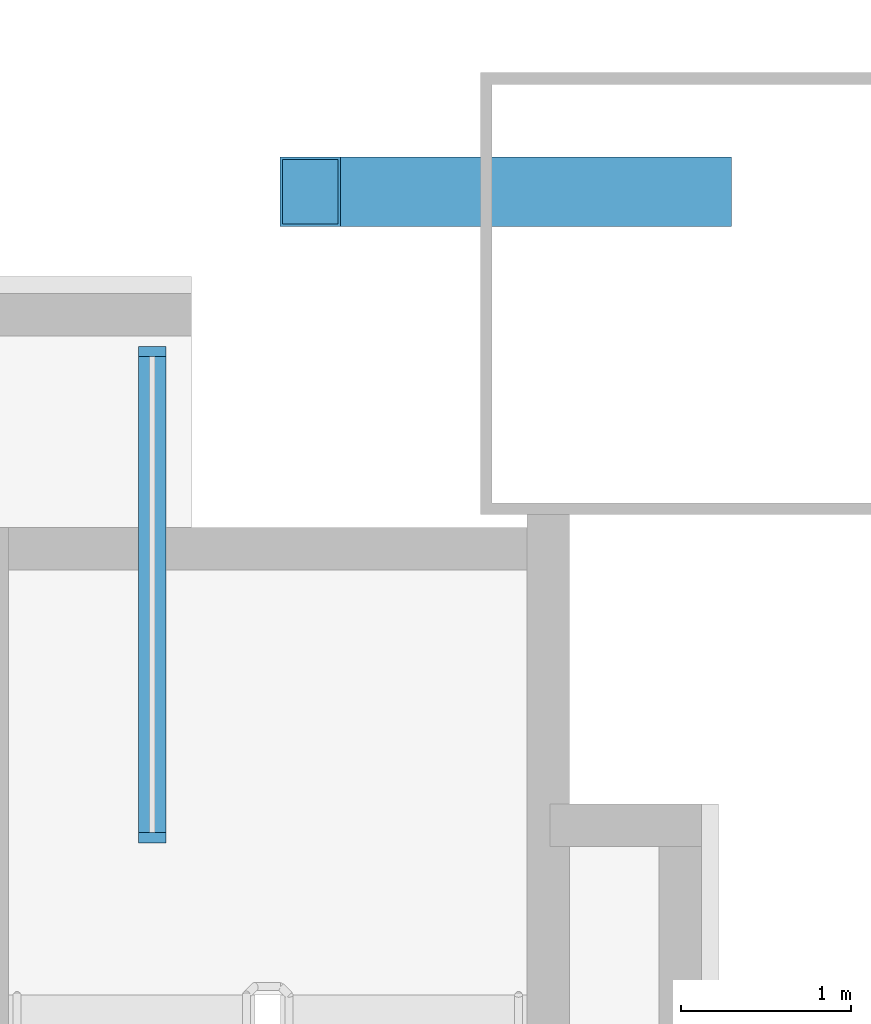
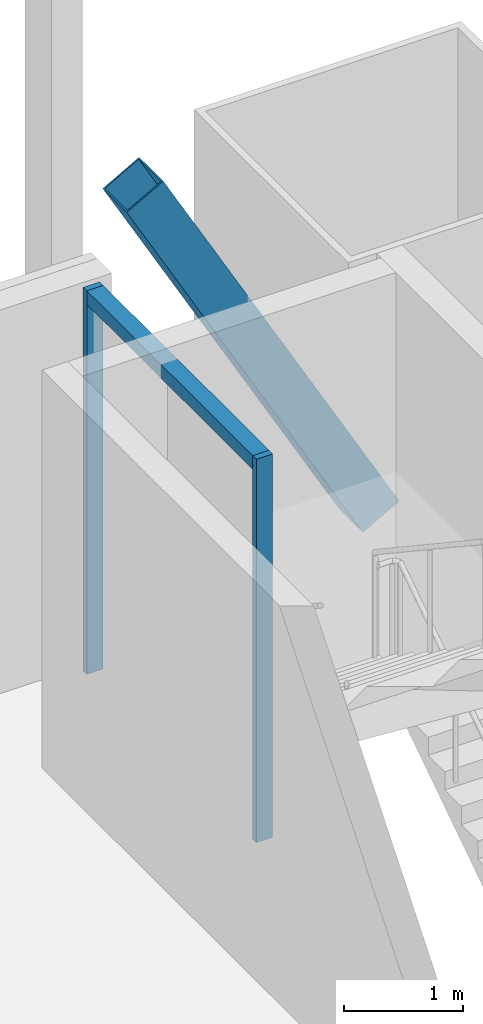
# One storey, part 21 of 29: 4 members, 1 element without a shape of its own.
"""IFC4 building model written with IfcOpenShell, lengths in metres."""

from ifc_helpers import new_model, si_unit, direction, frame, origin, origin_2d, place, context, subcontext, project, spatial, rectangle, hollow_rectangle, extrude, material, material_profile, profile_set, type_object, element, aggregate, save


model = new_model("IFC4")

# Units and contexts
model_context = context("Model", 3, precision=1e-05, world=origin(), true_north=direction((0.0, 1.0)))
body_context = subcontext(model_context, "Body", "Model", "MODEL_VIEW")
ifc_project = project(units=[si_unit("LENGTHUNIT", "METRE"), si_unit("AREAUNIT", "SQUARE_METRE"), si_unit("VOLUMEUNIT", "CUBIC_METRE"), si_unit("PLANEANGLEUNIT", "RADIAN"), si_unit("MASSUNIT", "GRAM", prefix="KILO")], contexts=[model_context])

# Site, building, storey
site_placement = place(None, origin())
site = spatial("IfcSite", under=ifc_project, at=site_placement, CompositionType="ELEMENT")
building_placement = place(site_placement, origin())
building = spatial("IfcBuilding", under=site, at=building_placement, Name="Bicima Exchange Tower", CompositionType="ELEMENT")
storey_placement = place(building_placement, frame((0.0, 0.0, 190.89990234375)))
storey = spatial("IfcBuildingStorey", under=building, at=storey_placement, Name="L42", CompositionType="ELEMENT", Elevation=190.89990234375)

# Curtain wall, members
ifc_material_1 = material(Name="Anodised bronze aluminium", Category="aluminium")
curtain_wall_type = type_object("IfcCurtainWallType", Name="Front glass wall", PredefinedType="NOTDEFINED", material=ifc_material_1)
curtain_wall_placement = place(storey_placement, origin())
curtain_wall = element("IfcCurtainWall", 1, at=curtain_wall_placement, inside=storey, type_object=curtain_wall_type, Name="Front glass wall L42 run 2", PredefinedType="NOTDEFINED")
ifc_material_profile_1 = material_profile(ifc_material_1, rectangle(XDim=0.159912109375, YDim=0.06005859375, at=origin_2d()))
ifc_profile_set_1 = profile_set([ifc_material_profile_1], Name="Anodised bronze aluminium")
member_type_1 = type_object("IfcMemberType", Name="Front glass wall mullion 60 x 160", PredefinedType="MULLION", material=ifc_profile_set_1)
member_1_placement = place(storey_placement, frame((29.77001953125, -6.199951171875, 0.0), z_axis=(0.0, 0.0, 1.0), x_axis=(-1.0, 0.0, 0.0)))
member_1 = element("IfcMember", 2, at=member_1_placement, type_object=member_type_1, Name="Front glass wall mullion 1", PredefinedType="MULLION", context=body_context, shape_type="SweptSolid", body=[
    extrude(rectangle(XDim=0.159912109375, YDim=0.06005859375, at=origin_2d()), origin(), (0.0, 0.0, 1.0), 3.9501953125),
])
member_2_placement = place(storey_placement, frame((29.77001953125, -3.340087890625, 0.0), z_axis=(0.0, 0.0, 1.0), x_axis=(-1.0, 0.0, 0.0)))
member_2 = element("IfcMember", 3, at=member_2_placement, type_object=member_type_1, Name="Front glass wall mullion 2", PredefinedType="MULLION", context=body_context, shape_type="SweptSolid", body=[
    extrude(rectangle(XDim=0.159912109375, YDim=0.06005859375, at=origin_2d()), origin(), (0.0, 0.0, 1.0), 3.9501953125),
])
ifc_material_profile_2 = material_profile(ifc_material_1, rectangle(XDim=0.159912109375, YDim=0.139892578125, at=origin_2d()))
ifc_profile_set_2 = profile_set([ifc_material_profile_2], Name="Anodised bronze aluminium")
member_type_2 = type_object("IfcMemberType", Name="Front glass wall transom 140 x 160", PredefinedType="USERDEFINED", material=ifc_profile_set_2)
member_3_placement = place(storey_placement, frame((29.77001953125, -6.169921875, 3.880126953125), z_axis=(0.0, 1.0, 0.0), x_axis=(-1.0, 0.0, 0.0)))
member_3 = element("IfcMember", 4, at=member_3_placement, type_object=member_type_2, Name="Front glass wall transom 1.1", ObjectType="TRANSOM", PredefinedType="USERDEFINED", context=body_context, shape_type="SweptSolid", body=[
    extrude(rectangle(XDim=0.159912109375, YDim=0.139892578125, at=origin_2d()), origin(), (0.0, 0.0, 1.0), 2.7998046875),
])
aggregate(curtain_wall, [member_1, member_2, member_3])

# Member
ifc_material_2 = material(Name="Steel ASTM A572 Gr 50", Category="steel")
ifc_material_profile_3 = material_profile(ifc_material_2, hollow_rectangle(XDim=0.406494140625, YDim=0.406494140625, WallThickness=0.0146484375, at=origin_2d()))
ifc_profile_set_3 = profile_set([ifc_material_profile_3], Name="Steel ASTM A572 Gr 50")
member_type_3 = type_object("IfcMemberType", Name="Mega brace HSS16x16x5/8", PredefinedType="BRACE", material=ifc_profile_set_3)
member_4_placement = place(storey_placement, frame((33.0, -2.39990234375, 0.0), z_axis=(-0.489250010841, 0.0, 0.87214358158), x_axis=(0.0, -1.0, 0.0)))
element("IfcMember", 5, at=member_4_placement, inside=storey, type_object=member_type_3, Name="Mega brace rear", PredefinedType="BRACE", context=body_context, shape_type="SweptSolid", body=[
    extrude(hollow_rectangle(XDim=0.406494140625, YDim=0.406494140625, WallThickness=0.0146484375, at=origin_2d()), origin(), (0.0, 0.0, 1.0), 4.701171875),
])

save(model, "model.ifc")
